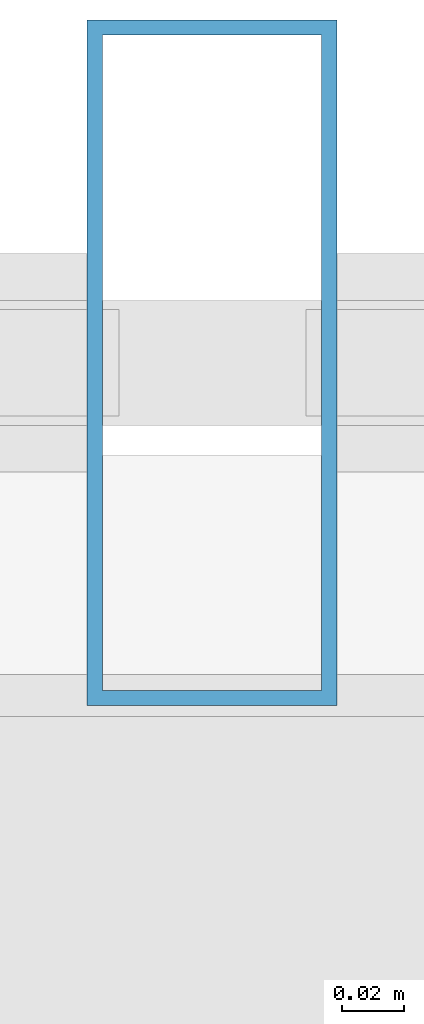
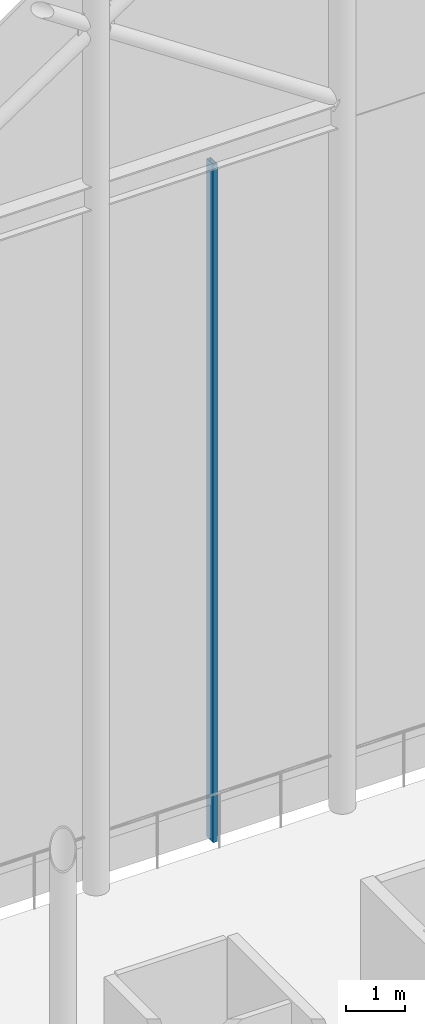
# One storey, part 32 of 42: 1 member, 1 element without a shape of its own.
"""IFC4 building model written with IfcOpenShell, lengths in metres."""

import ifcopenshell
import ifcopenshell.guid

model = None  # the IFC model being written
_history = None  # IfcOwnerHistory: only IFC2X3 demands one
_inside = {}  # id of a spatial element -> (the spatial element, [elements in it])
_under = {}  # id of a project, library or spatial element -> (it, [spatial elements below it])
_declared = {}  # id of a project -> (the project, [libraries it declares])
_typed = {}  # id of a type object -> (the type object, [elements of that type])
_made_of = {}  # id of a material, layer set ... -> (it, [elements and type objects made of it])


def new_model(schema):
    """Start an empty IFC model of exactly this schema.

    Asked for "IFC4X3", IfcOpenShell would pick the latest addendum, in which some entities
    have other attributes; the version numbers below select the first issue.
    IFC2X3 requires an IfcOwnerHistory on every rooted entity: one is made here for all.
    """
    global model, _history
    if schema == "IFC4X3":
        model = ifcopenshell.file(schema_version=(4, 3, 0, 0))
    else:
        model = ifcopenshell.file(schema=schema)
    _inside.clear()
    _under.clear()
    _declared.clear()
    _typed.clear()
    _made_of.clear()
    _history = None
    if model.schema == "IFC2X3":
        org = make("IfcOrganization", Name="unknown")
        user = make(
            "IfcPersonAndOrganization",
            ThePerson=make("IfcPerson", FamilyName="unknown"),
            TheOrganization=org,
        )
        app = make(
            "IfcApplication",
            ApplicationDeveloper=org,
            Version="unknown",
            ApplicationFullName="unknown",
            ApplicationIdentifier="unknown",
        )
        _history = make(
            "IfcOwnerHistory",
            OwningUser=user,
            OwningApplication=app,
            ChangeAction="ADDED",
            CreationDate=0,
        )
    return model


def make(cls, **values):
    """One entity of the class cls with the attributes given. An attribute that is None is left unset."""
    return model.create_entity(
        cls, **{name: value for name, value in values.items() if value is not None}
    )


def rooted(cls, **values):
    """An entity with a GlobalId (a new one), such as an element, a storey or a relation."""
    return make(cls, GlobalId=ifcopenshell.guid.new(), OwnerHistory=_history, **values)


def si_unit(unit_type, name, prefix=None):
    """IfcSIUnit, for example si_unit("LENGTHUNIT", "METRE", prefix="MILLI")."""
    return make("IfcSIUnit", UnitType=unit_type, Prefix=prefix, Name=name)


def assignment(units):
    """IfcUnitAssignment: the units of a project."""
    return None if units is None else make("IfcUnitAssignment", Units=units)


def point(xyz):
    """IfcCartesianPoint."""
    return None if xyz is None else make("IfcCartesianPoint", Coordinates=xyz)


def direction(xyz):
    """IfcDirection."""
    return None if xyz is None else make("IfcDirection", DirectionRatios=xyz)


def frame(location, z_axis=None, x_axis=None):
    """IfcAxis2Placement3D, a coordinate frame: its origin and axes. An axis left out is left unset."""
    return make(
        "IfcAxis2Placement3D",
        Location=point(location),
        Axis=direction(z_axis),
        RefDirection=direction(x_axis),
    )


def frame_2d(location, x_axis=None):
    """IfcAxis2Placement2D, a coordinate frame in the plane: its origin and x axis."""
    return make(
        "IfcAxis2Placement2D", Location=point(location), RefDirection=direction(x_axis)
    )


def origin():
    """The frame at (0, 0, 0) with its axes left unset."""
    return frame((0.0, 0.0, 0.0))


def origin_2d():
    """The frame at (0, 0) in the plane with its x axis left unset."""
    return frame_2d((0.0, 0.0))


def place(relative_to, where):
    """IfcLocalPlacement: puts the frame where relative to a parent placement (None: the world)."""
    return make(
        "IfcLocalPlacement", PlacementRelTo=relative_to, RelativePlacement=where
    )


def context(
    kind, dimensions, precision=None, world=None, true_north=None, identifier=None
):
    """IfcGeometricRepresentationContext, for example the 3D "Model" context."""
    return make(
        "IfcGeometricRepresentationContext",
        ContextIdentifier=identifier,
        ContextType=kind,
        CoordinateSpaceDimension=dimensions,
        Precision=precision,
        WorldCoordinateSystem=world,
        TrueNorth=true_north,
    )


def subcontext(parent, identifier, kind, view, scale=None):
    """IfcGeometricRepresentationSubContext, for example "Body" below "Model"."""
    return make(
        "IfcGeometricRepresentationSubContext",
        ContextIdentifier=identifier,
        ContextType=kind,
        ParentContext=parent,
        TargetScale=scale,
        TargetView=view,
    )


def project(units=None, contexts=None):
    """IfcProject with its units and contexts."""
    return rooted(
        "IfcProject",
        Name="project",
        RepresentationContexts=contexts,
        UnitsInContext=assignment(units),
    )


def spatial(cls, under=None, at=None, **own):
    """A site, building, storey or space (cls), placed at a placement, below another one or the project."""
    s = rooted(cls, ObjectPlacement=at, **own)
    if under is not None:
        _under.setdefault(under.id(), (under, []))[1].append(s)
    return s


def profile(cls, at=None, kind="AREA", **sizes):
    """A parametric profile (cls). Its sizes go by their IFC names, for example OverallWidth=200.0."""
    return make(cls, ProfileType=kind, Position=at, **sizes)


def hollow_rectangle(**sizes):
    """IfcRectangleHollowProfileDef."""
    return profile("IfcRectangleHollowProfileDef", **sizes)


def extrude(swept, where, along, depth):
    """IfcExtrudedAreaSolid: the profile swept, set in the frame where, extruded along a direction by depth."""
    return make(
        "IfcExtrudedAreaSolid",
        SweptArea=swept,
        Position=where,
        ExtrudedDirection=direction(along),
        Depth=depth,
    )


def shape(context_of_items, identifier, shape_type, items):
    """IfcShapeRepresentation: the items that make up one representation, for example the "Body"."""
    return make(
        "IfcShapeRepresentation",
        ContextOfItems=context_of_items,
        RepresentationIdentifier=identifier,
        RepresentationType=shape_type,
        Items=items,
    )


def material(Name=None, Category=None):
    """IfcMaterial."""
    return make("IfcMaterial", Name=Name, Category=Category)


def layer(
    of_material, thickness, ventilated=None, Name=None, Category=None, Priority=None
):
    """IfcMaterialLayer: one layer of a wall or slab, of a material (None: an air gap)."""
    return make(
        "IfcMaterialLayer",
        Material=of_material,
        LayerThickness=thickness,
        IsVentilated=ventilated,
        Name=Name,
        Category=Category,
        Priority=Priority,
    )


def layer_set(layers, Name=None):
    """IfcMaterialLayerSet."""
    return make("IfcMaterialLayerSet", MaterialLayers=layers, LayerSetName=Name)


def material_profile(
    of_material, cross_section, Name=None, Category=None, Priority=None
):
    """IfcMaterialProfile: a cross section and its material."""
    return make(
        "IfcMaterialProfile",
        Name=Name,
        Material=of_material,
        Profile=cross_section,
        Priority=Priority,
        Category=Category,
    )


def profile_set(profiles, Name=None, composite=None):
    """IfcMaterialProfileSet."""
    return make(
        "IfcMaterialProfileSet",
        Name=Name,
        MaterialProfiles=profiles,
        CompositeProfile=composite,
    )


def made_of(thing, what):
    """Note that an element or type object is made of a material, layer set ...; save() writes the relation."""
    if what is not None:
        _made_of.setdefault(what.id(), (what, []))[1].append(thing)
    return thing


def type_object(cls, material=None, **own):
    """A type object (cls), such as IfcWallType, which elements share."""
    return made_of(rooted(cls, **own), material)


def element(
    cls,
    number,
    at=None,
    inside=None,
    cuts=None,
    type_object=None,
    material=None,
    context=None,
    identifier="Body",
    shape_type=None,
    held_by="IfcProductDefinitionShape",
    body=None,
    shapes=None,
    **own,
):
    """One element of the class cls, such as IfcWall. Its Tag is "e" and its number.

    at: its placement. inside: the storey or other place that contains it. cuts: it is an
    opening in that element (IfcRelVoidsElement). A single representation is given by context,
    identifier, shape_type and body (its items); several are given by shapes. held_by: the class
    of the entity that holds the representations. save() writes the other relations.
    """
    e = rooted(cls, Tag="e%d" % number, ObjectPlacement=at, **own)
    if body is not None:
        shapes = [shape(context, identifier, shape_type, body)]
    if shapes is not None:
        e.Representation = make(held_by, Representations=shapes)
    if inside is not None:
        _inside.setdefault(inside.id(), (inside, []))[1].append(e)
    if cuts is not None:
        rooted(
            "IfcRelVoidsElement", RelatingBuildingElement=cuts, RelatedOpeningElement=e
        )
    if type_object is not None:
        _typed.setdefault(type_object.id(), (type_object, []))[1].append(e)
    return made_of(e, material)


def aggregate(whole, parts):
    """IfcRelAggregates: a whole, such as a stair, and the parts it consists of."""
    return rooted("IfcRelAggregates", RelatingObject=whole, RelatedObjects=parts)


def save(model, path):
    """Write the relations noted so far, then the file.

    IfcRelAggregates (storeys below a building ...), IfcRelContainedInSpatialStructure (elements
    in a storey), IfcRelDefinesByType, IfcRelAssociatesMaterial and IfcRelDeclares: one each for
    every whole, place, type object, material and project.
    """
    for whole, parts in _under.values():
        aggregate(whole, parts)
    for where, things in _inside.values():
        rooted(
            "IfcRelContainedInSpatialStructure",
            RelatedElements=things,
            RelatingStructure=where,
        )
    for kind, things in _typed.values():
        rooted("IfcRelDefinesByType", RelatedObjects=things, RelatingType=kind)
    for what, things in _made_of.values():
        rooted("IfcRelAssociatesMaterial", RelatedObjects=things, RelatingMaterial=what)
    for by, libraries in _declared.values():
        rooted("IfcRelDeclares", RelatingContext=by, RelatedDefinitions=libraries)
    model.write(path)


model = new_model("IFC4")

# Units and contexts
model_context = context("Model", 3, precision=1e-05, world=origin(), true_north=direction((0.0, 1.0)))
body_context = subcontext(model_context, "Body", "Model", "MODEL_VIEW")
ifc_project = project(units=[si_unit("LENGTHUNIT", "METRE"), si_unit("AREAUNIT", "SQUARE_METRE"), si_unit("VOLUMEUNIT", "CUBIC_METRE"), si_unit("PLANEANGLEUNIT", "RADIAN"), si_unit("MASSUNIT", "GRAM", prefix="KILO")], contexts=[model_context])

# Site, building, storey
site_placement = place(None, origin())
site = spatial("IfcSite", under=ifc_project, at=site_placement, CompositionType="ELEMENT")
building_placement = place(site_placement, origin())
building = spatial("IfcBuilding", under=site, at=building_placement, Name="Kallvorn Hotel Tower", CompositionType="ELEMENT")
storey_placement = place(building_placement, frame((0.0, 0.0, 306.0)))
storey = spatial("IfcBuildingStorey", under=building, at=storey_placement, Name="ROOF", CompositionType="ELEMENT", Elevation=306.0)

# Curtain wall, member
ifc_material_1 = material(Name="Thermally broken black-anodised aluminium AA 6063-T6", Category="aluminium")
ifc_layer = layer(ifc_material_1, 0.18994140625)
ifc_layer_set = layer_set([ifc_layer], Name="CW_SYS_7_CROWN_DRUM")
curtain_wall_type = type_object("IfcCurtainWallType", Name="CW_SYS_7_CROWN_DRUM", PredefinedType="USERDEFINED", material=ifc_layer_set)
curtain_wall_placement = place(storey_placement, origin())
curtain_wall = element("IfcCurtainWall", 1, at=curtain_wall_placement, inside=storey, type_object=curtain_wall_type, Name="ROOF Dark-Glass Curtain Wall CW-ROOF-N2", ObjectType="UNITISED CURTAIN WALL", PredefinedType="USERDEFINED")
ifc_material_2 = material(Name="Thermally broken black-anodised aluminium AA 6063-T6", Category="aluminium")
ifc_material_profile = material_profile(ifc_material_2, hollow_rectangle(XDim=0.080078125, YDim=0.219970703125, WallThickness=0.0048828125, at=origin_2d()), Name="MUL 220x80")
ifc_profile_set = profile_set([ifc_material_profile], Name="Thermally broken black-anodised aluminium AA 6063-T6")
member_type = type_object("IfcMemberType", Name="CW_MULLION_220x80", PredefinedType="MULLION", material=ifc_profile_set)
member_placement = place(storey_placement, frame((12.006591796875, 14.64990234375, 0.02001953125), z_axis=(0.0, 0.0, 1.0), x_axis=(1.0, 0.0, 0.0)))
member = element("IfcMember", 2, at=member_placement, type_object=member_type, Name="CW-ROOF-N2 Mullion 02", PredefinedType="MULLION", context=body_context, shape_type="SweptSolid", body=[
    extrude(hollow_rectangle(XDim=0.080078125, YDim=0.219970703125, WallThickness=0.0048828125, at=origin_2d()), origin(), (0.0, 0.0, 1.0), 13.9599609375),
])
aggregate(curtain_wall, [member])

save(model, "model.ifc")
